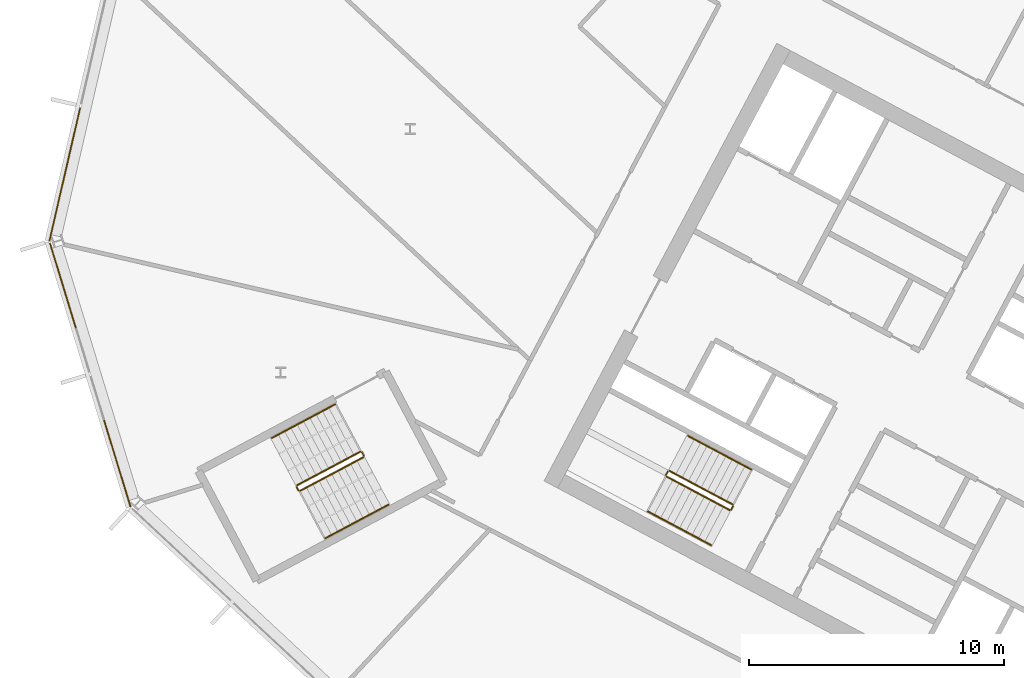
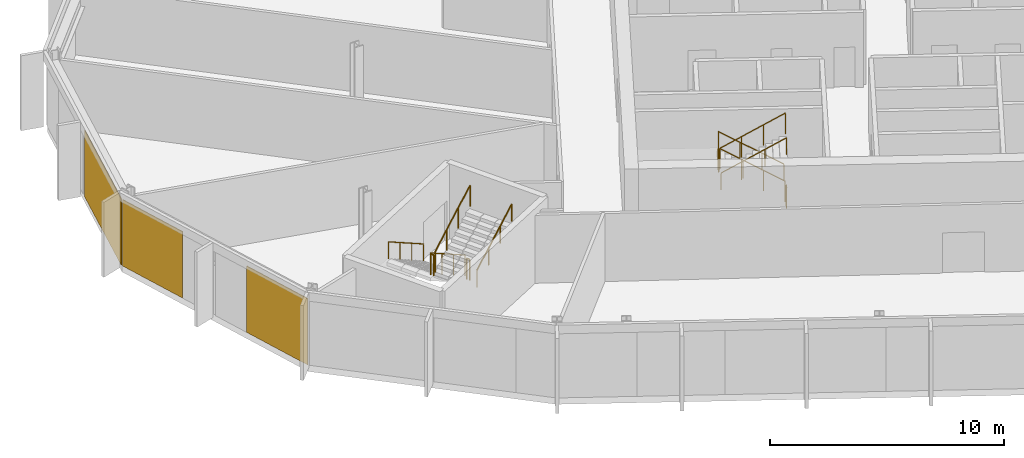
# One storey, part 21 of 27: 12 railings, 3 coverings, 2 elements without a shape of their own.
"""IFC4 building model written with IfcOpenShell, lengths in metres."""

from ifc_helpers import new_model, si_unit, direction, frame, origin, origin_2d, place, context, subcontext, project, spatial, polyline, rectangle, outline, extrude, material, layer, layer_set, type_object, element, aggregate, save


model = new_model("IFC4")

# Units and contexts
model_context = context("Model", 3, precision=1e-05, world=origin(), true_north=direction((0.0, 1.0)))
body_context = subcontext(model_context, "Body", "Model", "MODEL_VIEW")
ifc_project = project(units=[si_unit("LENGTHUNIT", "METRE"), si_unit("AREAUNIT", "SQUARE_METRE"), si_unit("VOLUMEUNIT", "CUBIC_METRE"), si_unit("PLANEANGLEUNIT", "RADIAN"), si_unit("MASSUNIT", "GRAM", prefix="KILO")], contexts=[model_context])

# Site, building, storey
site_placement = place(None, origin())
site = spatial("IfcSite", under=ifc_project, at=site_placement, CompositionType="ELEMENT")
building_placement = place(site_placement, origin())
building = spatial("IfcBuilding", under=site, at=building_placement, Name="Cormorant Relay Tower", CompositionType="ELEMENT")
storey_placement = place(building_placement, frame((0.0, 0.0, 216.89990234375)))
storey = spatial("IfcBuildingStorey", under=building, at=storey_placement, Name="L47", CompositionType="ELEMENT", Elevation=216.89990234375)

# Curtain wall, covering
ifc_material_1 = material(Name="Aluminium 6063-T6 anodised bronze", Category="aluminium")
ifc_layer_1 = layer(ifc_material_1, 0.199951171875)
ifc_layer_set_1 = layer_set([ifc_layer_1], Name="CW1 unitised bronze curtain wall with vertical fins")
curtain_wall_type = type_object("IfcCurtainWallType", Name="CW1 unitised bronze curtain wall with vertical fins", PredefinedType="NOTDEFINED", material=ifc_layer_set_1)
curtain_wall_1_placement = place(storey_placement, origin())
curtain_wall_1 = element("IfcCurtainWall", 1, at=curtain_wall_1_placement, inside=storey, type_object=curtain_wall_type, Name="CW1 curtain wall 13", PredefinedType="NOTDEFINED")
ifc_material_2 = material(Name="Pale bronze anodised aluminium insulated panel", Category="aluminium")
ifc_layer_2 = layer(ifc_material_2, 0.0400390625)
ifc_layer_set_2 = layer_set([ifc_layer_2], Name="CW1 pale bronze insulated panel 40")
covering_type = type_object("IfcCoveringType", Name="CW1 pale bronze insulated panel 40", PredefinedType="CLADDING", material=ifc_layer_set_2)
covering_1_placement = place(storey_placement, frame((-60.136474609375, 23.00927734375, 0.0), z_axis=(0.0, 0.0, 1.0), x_axis=(-0.224951054344, -0.974370064785, 0.0)))
covering_1 = element("IfcCovering", 2, at=covering_1_placement, type_object=covering_type, Name="CW1 panel S02", PredefinedType="CLADDING", context=body_context, shape_type="SweptSolid", body=[
    extrude(rectangle(XDim=5.360107421875, YDim=0.0400390625, at=origin_2d()), origin(), (0.0, 0.0, 1.0), 3.449951171875),
])
aggregate(curtain_wall_1, [covering_1])

# Curtain wall, coverings
curtain_wall_2_placement = place(storey_placement, origin())
curtain_wall_2 = element("IfcCurtainWall", 3, at=curtain_wall_2_placement, inside=storey, type_object=curtain_wall_type, Name="CW1 curtain wall 14", PredefinedType="NOTDEFINED")
covering_2_placement = place(storey_placement, frame((-60.20751953125, 18.6494140625, 0.0), z_axis=(0.0, 0.0, 1.0), x_axis=(0.292371704723, -0.956304755963, 0.0)))
covering_2 = element("IfcCovering", 4, at=covering_2_placement, type_object=covering_type, Name="CW1 panel S00", PredefinedType="CLADDING", context=body_context, shape_type="SweptSolid", body=[
    extrude(rectangle(XDim=3.485107421875, YDim=0.0400390625, at=origin_2d()), origin(), (0.0, 0.0, 1.0), 3.449951171875),
])
covering_3_placement = place(storey_placement, frame((-58.081298828125, 11.6943359375, 0.0), z_axis=(0.0, 0.0, 1.0), x_axis=(0.292371704723, -0.956304755963, 0.0)))
covering_3 = element("IfcCovering", 5, at=covering_3_placement, type_object=covering_type, Name="CW1 panel S03", PredefinedType="CLADDING", context=body_context, shape_type="SweptSolid", body=[
    extrude(rectangle(XDim=3.560302734375, YDim=0.0400390625, at=origin_2d()), origin(), (0.0, 0.0, 1.0), 3.449951171875),
])
aggregate(curtain_wall_2, [covering_2, covering_3])

# Railings
ifc_material_3 = material(Name="Steel ASTM A572 Grade 50 (Fy 345 MPa)", Category="steel")
railing_type_1 = type_object("IfcRailingType", Name="Stair guard 1100", PredefinedType="GUARDRAIL", material=ifc_material_3)
railing_1_placement = place(storey_placement, frame((-33.9921875, 10.08935546875, 0.177490234375)))
element("IfcRailing", 6, at=railing_1_placement, inside=storey, type_object=railing_type_1, Name="L47 A2 stair guard 1", PredefinedType="GUARDRAIL", context=body_context, shape_type="SweptSolid", body=[
    extrude(outline(polyline([(0.022216796875, 0.00927734375), (0.00927734375, 0.022216796875), (-0.00927734375, 0.022216796875), (-0.022216796875, 0.00927734375), (-0.022216796875, -0.00927734375), (-0.00927734375, -0.022216796875), (0.00927734375, -0.022216796875), (0.022216796875, -0.00927734375), (0.022216796875, 0.00927734375)])), frame((0.0, 0.0, 1.076171875), z_axis=(-0.746001213114, 0.396649272309, 0.534931345884), x_axis=(-0.469465464807, -0.882950835185, 0.0)), (0.0, 0.0, 1.0), 3.31396484375),
    extrude(outline(polyline([(0.019287109375, 0.008056640625), (0.008056640625, 0.019287109375), (-0.008056640625, 0.019287109375), (-0.019287109375, 0.008056640625), (-0.019287109375, -0.008056640625), (-0.008056640625, -0.019287109375), (0.008056640625, -0.019287109375), (0.019287109375, -0.008056640625), (0.019287109375, 0.008056640625)])), origin(), (0.0, 0.0, 1.0), 1.052001953125),
    extrude(outline(polyline([(0.019287109375, 0.008056640625), (0.008056640625, 0.019287109375), (-0.008056640625, 0.019287109375), (-0.019287109375, 0.008056640625), (-0.019287109375, -0.008056640625), (-0.008056640625, -0.019287109375), (0.008056640625, -0.019287109375), (0.019287109375, -0.008056640625), (0.019287109375, 0.008056640625)])), frame((-0.823974609375, 0.438232421875, 0.5908203125)), (0.0, 0.0, 1.0), 1.052001953125),
    extrude(outline(polyline([(0.019287109375, 0.008056640625), (0.008056640625, 0.019287109375), (-0.008056640625, 0.019287109375), (-0.019287109375, 0.008056640625), (-0.019287109375, -0.008056640625), (-0.008056640625, -0.019287109375), (0.008056640625, -0.019287109375), (0.019287109375, -0.008056640625), (0.019287109375, 0.008056640625)])), frame((-1.648193359375, 0.876220703125, 1.181884765625)), (0.0, 0.0, 1.0), 1.052001953125),
    extrude(outline(polyline([(0.019287109375, 0.008056640625), (0.008056640625, 0.019287109375), (-0.008056640625, 0.019287109375), (-0.019287109375, 0.008056640625), (-0.019287109375, -0.008056640625), (-0.008056640625, -0.019287109375), (0.008056640625, -0.019287109375), (0.019287109375, -0.008056640625), (0.019287109375, 0.008056640625)])), frame((-2.47216796875, 1.314453125, 1.772705078125)), (0.0, 0.0, 1.0), 1.052001953125),
])
railing_2_placement = place(storey_placement, frame((-36.531982421875, 11.38330078125, 1.9501953125)))
element("IfcRailing", 7, at=railing_2_placement, inside=storey, type_object=railing_type_1, Name="L47 A2 stair guard 2", PredefinedType="GUARDRAIL", context=body_context, shape_type="SweptSolid", body=[
    extrude(outline(polyline([(0.022216796875, 0.00927734375), (0.00927734375, 0.022216796875), (-0.00927734375, 0.022216796875), (-0.022216796875, 0.00927734375), (-0.022216796875, -0.00927734375), (-0.00927734375, -0.022216796875), (0.00927734375, -0.022216796875), (0.022216796875, -0.00927734375), (0.022216796875, 0.00927734375)])), frame((0.0, 0.0, 1.076171875), z_axis=(-0.469828648786, -0.882757634224, 0.0), x_axis=(0.882757634224, -0.469828648786, 0.0)), (0.0, 0.0, 1.0), 0.150146484375),
    extrude(outline(polyline([(0.019287109375, 0.008056640625), (0.008056640625, 0.019287109375), (-0.008056640625, 0.019287109375), (-0.019287109375, 0.008056640625), (-0.019287109375, -0.008056640625), (-0.008056640625, -0.019287109375), (0.008056640625, -0.019287109375), (0.019287109375, -0.008056640625), (0.019287109375, 0.008056640625)])), origin(), (0.0, 0.0, 1.0), 1.052001953125),
    extrude(outline(polyline([(0.019287109375, 0.008056640625), (0.008056640625, 0.019287109375), (-0.008056640625, 0.019287109375), (-0.019287109375, 0.008056640625), (-0.019287109375, -0.008056640625), (-0.008056640625, -0.019287109375), (0.008056640625, -0.019287109375), (0.019287109375, -0.008056640625), (0.019287109375, 0.008056640625)])), frame((-0.070556640625, -0.132568359375, 0.0)), (0.0, 0.0, 1.0), 1.052001953125),
])
railing_3_placement = place(storey_placement, frame((-36.581787109375, 11.18310546875, 2.12744140625)))
element("IfcRailing", 8, at=railing_3_placement, inside=storey, type_object=railing_type_1, Name="L47 A2 stair guard 3", PredefinedType="GUARDRAIL", context=body_context, shape_type="SweptSolid", body=[
    extrude(outline(polyline([(0.022216796875, 0.00927734375), (0.00927734375, 0.022216796875), (-0.00927734375, 0.022216796875), (-0.022216796875, 0.00927734375), (-0.022216796875, -0.00927734375), (-0.00927734375, -0.022216796875), (0.00927734375, -0.022216796875), (0.022216796875, -0.00927734375), (0.022216796875, 0.00927734375)])), frame((0.0, 0.0, 1.076171875), z_axis=(0.746001213114, -0.396649272309, 0.534931345884), x_axis=(0.469465464807, 0.882950835185, 0.0)), (0.0, 0.0, 1.0), 3.31396484375),
    extrude(outline(polyline([(0.019287109375, 0.008056640625), (0.008056640625, 0.019287109375), (-0.008056640625, 0.019287109375), (-0.019287109375, 0.008056640625), (-0.019287109375, -0.008056640625), (-0.008056640625, -0.019287109375), (0.008056640625, -0.019287109375), (0.019287109375, -0.008056640625), (0.019287109375, 0.008056640625)])), origin(), (0.0, 0.0, 1.0), 1.052001953125),
    extrude(outline(polyline([(0.019287109375, 0.008056640625), (0.008056640625, 0.019287109375), (-0.008056640625, 0.019287109375), (-0.019287109375, 0.008056640625), (-0.019287109375, -0.008056640625), (-0.008056640625, -0.019287109375), (0.008056640625, -0.019287109375), (0.019287109375, -0.008056640625), (0.019287109375, 0.008056640625)])), frame((0.823974609375, -0.438232421875, 0.5908203125)), (0.0, 0.0, 1.0), 1.052001953125),
    extrude(outline(polyline([(0.019287109375, 0.008056640625), (0.008056640625, 0.019287109375), (-0.008056640625, 0.019287109375), (-0.019287109375, 0.008056640625), (-0.019287109375, -0.008056640625), (-0.008056640625, -0.019287109375), (0.008056640625, -0.019287109375), (0.019287109375, -0.008056640625), (0.019287109375, 0.008056640625)])), frame((1.648193359375, -0.876220703125, 1.181884765625)), (0.0, 0.0, 1.0), 1.052001953125),
    extrude(outline(polyline([(0.019287109375, 0.008056640625), (0.008056640625, 0.019287109375), (-0.008056640625, 0.019287109375), (-0.019287109375, 0.008056640625), (-0.019287109375, -0.008056640625), (-0.008056640625, -0.019287109375), (0.008056640625, -0.019287109375), (0.019287109375, -0.008056640625), (0.019287109375, 0.008056640625)])), frame((2.47216796875, -1.314453125, 1.772705078125)), (0.0, 0.0, 1.0), 1.052001953125),
])
railing_4_placement = place(storey_placement, frame((-33.971435546875, 10.021728515625, 0.0)))
element("IfcRailing", 9, at=railing_4_placement, inside=storey, type_object=railing_type_1, Name="L47 A2 stair guard 4", PredefinedType="GUARDRAIL", context=body_context, shape_type="SweptSolid", body=[
    extrude(outline(polyline([(0.022216796875, 0.00927734375), (0.00927734375, 0.022216796875), (-0.00927734375, 0.022216796875), (-0.022216796875, 0.00927734375), (-0.022216796875, -0.00927734375), (-0.00927734375, -0.022216796875), (0.00927734375, -0.022216796875), (0.022216796875, -0.00927734375), (0.022216796875, 0.00927734375)])), frame((0.0, 0.0, 1.076171875), z_axis=(-0.470503732759, -0.882398003998, 0.0), x_axis=(0.882398003998, -0.470503732759, 0.0)), (0.0, 0.0, 1.0), 0.14990234375),
    extrude(outline(polyline([(0.019287109375, 0.008056640625), (0.008056640625, 0.019287109375), (-0.008056640625, 0.019287109375), (-0.019287109375, 0.008056640625), (-0.019287109375, -0.008056640625), (-0.008056640625, -0.019287109375), (0.008056640625, -0.019287109375), (0.019287109375, -0.008056640625), (0.019287109375, 0.008056640625)])), origin(), (0.0, 0.0, 1.0), 1.052001953125),
    extrude(outline(polyline([(0.019287109375, 0.008056640625), (0.008056640625, 0.019287109375), (-0.008056640625, 0.019287109375), (-0.019287109375, 0.008056640625), (-0.019287109375, -0.008056640625), (-0.008056640625, -0.019287109375), (0.008056640625, -0.019287109375), (0.019287109375, -0.008056640625), (0.019287109375, 0.008056640625)])), frame((-0.070556640625, -0.13232421875, 0.0)), (0.0, 0.0, 1.0), 1.052001953125),
])
railing_5_placement = place(storey_placement, frame((-48.5693359375, 12.155517578125, 0.177490234375)))
element("IfcRailing", 10, at=railing_5_placement, inside=storey, type_object=railing_type_1, Name="L47 RP1 stair guard 1", PredefinedType="GUARDRAIL", context=body_context, shape_type="SweptSolid", body=[
    extrude(outline(polyline([(0.022216796875, 0.00927734375), (0.00927734375, 0.022216796875), (-0.00927734375, 0.022216796875), (-0.022216796875, 0.00927734375), (-0.022216796875, -0.00927734375), (-0.00927734375, -0.022216796875), (0.00927734375, -0.022216796875), (0.022216796875, -0.00927734375), (0.022216796875, 0.00927734375)])), frame((0.0, 0.0, 1.076171875), z_axis=(-0.746012083385, -0.396689549623, 0.534886317514), x_axis=(0.469497295046, -0.882933910293, 0.0)), (0.0, 0.0, 1.0), 3.314208984375),
    extrude(outline(polyline([(0.019287109375, 0.008056640625), (0.008056640625, 0.019287109375), (-0.008056640625, 0.019287109375), (-0.019287109375, 0.008056640625), (-0.019287109375, -0.008056640625), (-0.008056640625, -0.019287109375), (0.008056640625, -0.019287109375), (0.019287109375, -0.008056640625), (0.019287109375, 0.008056640625)])), origin(), (0.0, 0.0, 1.0), 1.052001953125),
    extrude(outline(polyline([(0.019287109375, 0.008056640625), (0.008056640625, 0.019287109375), (-0.008056640625, 0.019287109375), (-0.019287109375, 0.008056640625), (-0.019287109375, -0.008056640625), (-0.008056640625, -0.019287109375), (0.008056640625, -0.019287109375), (0.019287109375, -0.008056640625), (0.019287109375, 0.008056640625)])), frame((-0.82421875, -0.438232421875, 0.5908203125)), (0.0, 0.0, 1.0), 1.052001953125),
    extrude(outline(polyline([(0.019287109375, 0.008056640625), (0.008056640625, 0.019287109375), (-0.008056640625, 0.019287109375), (-0.019287109375, 0.008056640625), (-0.019287109375, -0.008056640625), (-0.008056640625, -0.019287109375), (0.008056640625, -0.019287109375), (0.019287109375, -0.008056640625), (0.019287109375, 0.008056640625)])), frame((-1.648193359375, -0.87646484375, 1.181884765625)), (0.0, 0.0, 1.0), 1.052001953125),
    extrude(outline(polyline([(0.019287109375, 0.008056640625), (0.008056640625, 0.019287109375), (-0.008056640625, 0.019287109375), (-0.019287109375, 0.008056640625), (-0.019287109375, -0.008056640625), (-0.008056640625, -0.019287109375), (0.008056640625, -0.019287109375), (0.019287109375, -0.008056640625), (0.019287109375, 0.008056640625)])), frame((-2.472412109375, -1.314697265625, 1.772705078125)), (0.0, 0.0, 1.0), 1.052001953125),
])
railing_6_placement = place(storey_placement, frame((-51.062255859375, 10.773193359375, 1.9501953125)))
element("IfcRailing", 11, at=railing_6_placement, inside=storey, type_object=railing_type_1, Name="L47 RP1 stair guard 2", PredefinedType="GUARDRAIL", context=body_context, shape_type="SweptSolid", body=[
    extrude(outline(polyline([(0.022216796875, 0.00927734375), (0.00927734375, 0.022216796875), (-0.00927734375, 0.022216796875), (-0.022216796875, 0.00927734375), (-0.022216796875, -0.00927734375), (-0.00927734375, -0.022216796875), (0.00927734375, -0.022216796875), (0.022216796875, -0.00927734375), (0.022216796875, 0.00927734375)])), frame((0.0, 0.0, 1.076171875), z_axis=(0.469234640946, -0.883073525669, 0.0), x_axis=(0.883073525669, 0.469234640946, 0.0)), (0.0, 0.0, 1.0), 0.14990234375),
    extrude(outline(polyline([(0.019287109375, 0.008056640625), (0.008056640625, 0.019287109375), (-0.008056640625, 0.019287109375), (-0.019287109375, 0.008056640625), (-0.019287109375, -0.008056640625), (-0.008056640625, -0.019287109375), (0.008056640625, -0.019287109375), (0.019287109375, -0.008056640625), (0.019287109375, 0.008056640625)])), origin(), (0.0, 0.0, 1.0), 1.052001953125),
    extrude(outline(polyline([(0.019287109375, 0.008056640625), (0.008056640625, 0.019287109375), (-0.008056640625, 0.019287109375), (-0.019287109375, 0.008056640625), (-0.019287109375, -0.008056640625), (-0.008056640625, -0.019287109375), (0.008056640625, -0.019287109375), (0.019287109375, -0.008056640625), (0.019287109375, 0.008056640625)])), frame((0.0703125, -0.13232421875, 0.0)), (0.0, 0.0, 1.0), 1.052001953125),
])
railing_7_placement = place(storey_placement, frame((-50.92431640625, 10.6201171875, 2.12744140625)))
element("IfcRailing", 12, at=railing_7_placement, inside=storey, type_object=railing_type_1, Name="L47 RP1 stair guard 3", PredefinedType="GUARDRAIL", context=body_context, shape_type="SweptSolid", body=[
    extrude(outline(polyline([(0.022216796875, 0.00927734375), (0.00927734375, 0.022216796875), (-0.00927734375, 0.022216796875), (-0.022216796875, 0.00927734375), (-0.022216796875, -0.00927734375), (-0.00927734375, -0.022216796875), (0.00927734375, -0.022216796875), (0.022216796875, -0.00927734375), (0.022216796875, 0.00927734375)])), frame((0.0, 0.0, 1.076171875), z_axis=(0.746033882577, 0.396627473466, 0.534901947407), x_axis=(-0.469429322983, 0.882970050864, 0.0)), (0.0, 0.0, 1.0), 3.31396484375),
    extrude(outline(polyline([(0.019287109375, 0.008056640625), (0.008056640625, 0.019287109375), (-0.008056640625, 0.019287109375), (-0.019287109375, 0.008056640625), (-0.019287109375, -0.008056640625), (-0.008056640625, -0.019287109375), (0.008056640625, -0.019287109375), (0.019287109375, -0.008056640625), (0.019287109375, 0.008056640625)])), origin(), (0.0, 0.0, 1.0), 1.052001953125),
    extrude(outline(polyline([(0.019287109375, 0.008056640625), (0.008056640625, 0.019287109375), (-0.008056640625, 0.019287109375), (-0.019287109375, 0.008056640625), (-0.019287109375, -0.008056640625), (-0.008056640625, -0.019287109375), (0.008056640625, -0.019287109375), (0.019287109375, -0.008056640625), (0.019287109375, 0.008056640625)])), frame((0.82421875, 0.438232421875, 0.5908203125)), (0.0, 0.0, 1.0), 1.052001953125),
    extrude(outline(polyline([(0.019287109375, 0.008056640625), (0.008056640625, 0.019287109375), (-0.008056640625, 0.019287109375), (-0.019287109375, 0.008056640625), (-0.019287109375, -0.008056640625), (-0.008056640625, -0.019287109375), (0.008056640625, -0.019287109375), (0.019287109375, -0.008056640625), (0.019287109375, 0.008056640625)])), frame((1.648193359375, 0.876220703125, 1.181884765625)), (0.0, 0.0, 1.0), 1.052001953125),
    extrude(outline(polyline([(0.019287109375, 0.008056640625), (0.008056640625, 0.019287109375), (-0.008056640625, 0.019287109375), (-0.019287109375, 0.008056640625), (-0.019287109375, -0.008056640625), (-0.008056640625, -0.019287109375), (0.008056640625, -0.019287109375), (0.019287109375, -0.008056640625), (0.019287109375, 0.008056640625)])), frame((2.472412109375, 1.314453125, 1.772705078125)), (0.0, 0.0, 1.0), 1.052001953125),
])
railing_8_placement = place(storey_placement, frame((-48.501708984375, 12.134765625, 0.0)))
element("IfcRailing", 13, at=railing_8_placement, inside=storey, type_object=railing_type_1, Name="L47 RP1 stair guard 4", PredefinedType="GUARDRAIL", context=body_context, shape_type="SweptSolid", body=[
    extrude(outline(polyline([(0.022216796875, 0.00927734375), (0.00927734375, 0.022216796875), (-0.00927734375, 0.022216796875), (-0.022216796875, 0.00927734375), (-0.022216796875, -0.00927734375), (-0.00927734375, -0.022216796875), (0.00927734375, -0.022216796875), (0.022216796875, -0.00927734375), (0.022216796875, 0.00927734375)])), frame((0.0, 0.0, 1.076171875), z_axis=(0.46856034887, -0.8834314911, 0.0), x_axis=(0.8834314911, 0.46856034887, 0.0)), (0.0, 0.0, 1.0), 0.150146484375),
    extrude(outline(polyline([(0.019287109375, 0.008056640625), (0.008056640625, 0.019287109375), (-0.008056640625, 0.019287109375), (-0.019287109375, 0.008056640625), (-0.019287109375, -0.008056640625), (-0.008056640625, -0.019287109375), (0.008056640625, -0.019287109375), (0.019287109375, -0.008056640625), (0.019287109375, 0.008056640625)])), origin(), (0.0, 0.0, 1.0), 1.052001953125),
    extrude(outline(polyline([(0.019287109375, 0.008056640625), (0.008056640625, 0.019287109375), (-0.008056640625, 0.019287109375), (-0.019287109375, 0.008056640625), (-0.019287109375, -0.008056640625), (-0.008056640625, -0.019287109375), (0.008056640625, -0.019287109375), (0.019287109375, -0.008056640625), (0.019287109375, 0.008056640625)])), frame((0.0703125, -0.132568359375, 0.0)), (0.0, 0.0, 1.0), 1.052001953125),
])
ifc_material_4 = material(Name="Steel ASTM A572 Grade 50 (Fy 345 MPa)", Category="steel")
railing_type_2 = type_object("IfcRailingType", Name="Stair handrail 900", PredefinedType="HANDRAIL", material=ifc_material_4)
railing_9_placement = place(storey_placement, frame((-33.264404296875, 11.4580078125, 0.177490234375)))
element("IfcRailing", 14, at=railing_9_placement, inside=storey, type_object=railing_type_2, Name="L47 A2 stair handrail 1", PredefinedType="HANDRAIL", context=body_context, shape_type="SweptSolid", body=[
    extrude(outline(polyline([(0.022216796875, 0.00927734375), (0.00927734375, 0.022216796875), (-0.00927734375, 0.022216796875), (-0.022216796875, 0.00927734375), (-0.022216796875, -0.00927734375), (-0.00927734375, -0.022216796875), (0.00927734375, -0.022216796875), (0.022216796875, -0.00927734375), (0.022216796875, 0.00927734375)])), frame((0.0, 0.0, 0.8759765625), z_axis=(-0.746033882577, 0.396627473466, 0.534901947407), x_axis=(-0.469429322983, -0.882970050864, 0.0)), (0.0, 0.0, 1.0), 3.31396484375),
    extrude(outline(polyline([(0.019287109375, 0.008056640625), (0.008056640625, 0.019287109375), (-0.008056640625, 0.019287109375), (-0.019287109375, 0.008056640625), (-0.019287109375, -0.008056640625), (-0.008056640625, -0.019287109375), (0.008056640625, -0.019287109375), (0.019287109375, -0.008056640625), (0.019287109375, 0.008056640625)])), origin(), (0.0, 0.0, 1.0), 0.851806640625),
    extrude(outline(polyline([(0.019287109375, 0.008056640625), (0.008056640625, 0.019287109375), (-0.008056640625, 0.019287109375), (-0.019287109375, 0.008056640625), (-0.019287109375, -0.008056640625), (-0.008056640625, -0.019287109375), (0.008056640625, -0.019287109375), (0.019287109375, -0.008056640625), (0.019287109375, 0.008056640625)])), frame((-0.82421875, 0.438232421875, 0.5908203125)), (0.0, 0.0, 1.0), 0.851806640625),
    extrude(outline(polyline([(0.019287109375, 0.008056640625), (0.008056640625, 0.019287109375), (-0.008056640625, 0.019287109375), (-0.019287109375, 0.008056640625), (-0.019287109375, -0.008056640625), (-0.008056640625, -0.019287109375), (0.008056640625, -0.019287109375), (0.019287109375, -0.008056640625), (0.019287109375, 0.008056640625)])), frame((-1.648193359375, 0.876220703125, 1.181884765625)), (0.0, 0.0, 1.0), 0.851806640625),
    extrude(outline(polyline([(0.019287109375, 0.008056640625), (0.008056640625, 0.019287109375), (-0.008056640625, 0.019287109375), (-0.019287109375, 0.008056640625), (-0.019287109375, -0.008056640625), (-0.008056640625, -0.019287109375), (0.008056640625, -0.019287109375), (0.019287109375, -0.008056640625), (0.019287109375, 0.008056640625)])), frame((-2.472412109375, 1.314453125, 1.772705078125)), (0.0, 0.0, 1.0), 0.851806640625),
])
railing_10_placement = place(storey_placement, frame((-37.3095703125, 9.814453125, 2.12744140625)))
element("IfcRailing", 15, at=railing_10_placement, inside=storey, type_object=railing_type_2, Name="L47 A2 stair handrail 2", PredefinedType="HANDRAIL", context=body_context, shape_type="SweptSolid", body=[
    extrude(outline(polyline([(0.022216796875, 0.00927734375), (0.00927734375, 0.022216796875), (-0.00927734375, 0.022216796875), (-0.022216796875, 0.00927734375), (-0.022216796875, -0.00927734375), (-0.00927734375, -0.022216796875), (0.00927734375, -0.022216796875), (0.022216796875, -0.00927734375), (0.022216796875, 0.00927734375)])), frame((0.0, 0.0, 0.8759765625), z_axis=(0.746033882577, -0.396627473466, 0.534901947407), x_axis=(0.469429322983, 0.882970050864, 0.0)), (0.0, 0.0, 1.0), 3.31396484375),
    extrude(outline(polyline([(0.019287109375, 0.008056640625), (0.008056640625, 0.019287109375), (-0.008056640625, 0.019287109375), (-0.019287109375, 0.008056640625), (-0.019287109375, -0.008056640625), (-0.008056640625, -0.019287109375), (0.008056640625, -0.019287109375), (0.019287109375, -0.008056640625), (0.019287109375, 0.008056640625)])), origin(), (0.0, 0.0, 1.0), 0.851806640625),
    extrude(outline(polyline([(0.019287109375, 0.008056640625), (0.008056640625, 0.019287109375), (-0.008056640625, 0.019287109375), (-0.019287109375, 0.008056640625), (-0.019287109375, -0.008056640625), (-0.008056640625, -0.019287109375), (0.008056640625, -0.019287109375), (0.019287109375, -0.008056640625), (0.019287109375, 0.008056640625)])), frame((0.82421875, -0.438232421875, 0.5908203125)), (0.0, 0.0, 1.0), 0.851806640625),
    extrude(outline(polyline([(0.019287109375, 0.008056640625), (0.008056640625, 0.019287109375), (-0.008056640625, 0.019287109375), (-0.019287109375, 0.008056640625), (-0.019287109375, -0.008056640625), (-0.008056640625, -0.019287109375), (0.008056640625, -0.019287109375), (0.019287109375, -0.008056640625), (0.019287109375, 0.008056640625)])), frame((1.648193359375, -0.876220703125, 1.181884765625)), (0.0, 0.0, 1.0), 0.851806640625),
    extrude(outline(polyline([(0.019287109375, 0.008056640625), (0.008056640625, 0.019287109375), (-0.008056640625, 0.019287109375), (-0.019287109375, 0.008056640625), (-0.019287109375, -0.008056640625), (-0.008056640625, -0.019287109375), (0.008056640625, -0.019287109375), (0.019287109375, -0.008056640625), (0.019287109375, 0.008056640625)])), frame((2.472412109375, -1.314453125, 1.772705078125)), (0.0, 0.0, 1.0), 0.851806640625),
])
railing_11_placement = place(storey_placement, frame((-49.55517578125, 14.009521484375, 0.177490234375)))
element("IfcRailing", 16, at=railing_11_placement, inside=storey, type_object=railing_type_2, Name="L47 RP1 stair handrail 1", PredefinedType="HANDRAIL", context=body_context, shape_type="SweptSolid", body=[
    extrude(outline(polyline([(0.022216796875, 0.00927734375), (0.00927734375, 0.022216796875), (-0.00927734375, 0.022216796875), (-0.022216796875, 0.00927734375), (-0.022216796875, -0.00927734375), (-0.00927734375, -0.022216796875), (0.00927734375, -0.022216796875), (0.022216796875, -0.00927734375), (0.022216796875, 0.00927734375)])), frame((0.0, 0.0, 0.8759765625), z_axis=(-0.746033882577, -0.396627473466, 0.534901947407), x_axis=(0.469429322983, -0.882970050864, 0.0)), (0.0, 0.0, 1.0), 3.31396484375),
    extrude(outline(polyline([(0.019287109375, 0.008056640625), (0.008056640625, 0.019287109375), (-0.008056640625, 0.019287109375), (-0.019287109375, 0.008056640625), (-0.019287109375, -0.008056640625), (-0.008056640625, -0.019287109375), (0.008056640625, -0.019287109375), (0.019287109375, -0.008056640625), (0.019287109375, 0.008056640625)])), origin(), (0.0, 0.0, 1.0), 0.851806640625),
    extrude(outline(polyline([(0.019287109375, 0.008056640625), (0.008056640625, 0.019287109375), (-0.008056640625, 0.019287109375), (-0.019287109375, 0.008056640625), (-0.019287109375, -0.008056640625), (-0.008056640625, -0.019287109375), (0.008056640625, -0.019287109375), (0.019287109375, -0.008056640625), (0.019287109375, 0.008056640625)])), frame((-0.82421875, -0.438232421875, 0.5908203125)), (0.0, 0.0, 1.0), 0.851806640625),
    extrude(outline(polyline([(0.019287109375, 0.008056640625), (0.008056640625, 0.019287109375), (-0.008056640625, 0.019287109375), (-0.019287109375, 0.008056640625), (-0.019287109375, -0.008056640625), (-0.008056640625, -0.019287109375), (0.008056640625, -0.019287109375), (0.019287109375, -0.008056640625), (0.019287109375, 0.008056640625)])), frame((-1.648193359375, -0.876220703125, 1.181884765625)), (0.0, 0.0, 1.0), 0.851806640625),
    extrude(outline(polyline([(0.019287109375, 0.008056640625), (0.008056640625, 0.019287109375), (-0.008056640625, 0.019287109375), (-0.019287109375, 0.008056640625), (-0.019287109375, -0.008056640625), (-0.008056640625, -0.019287109375), (0.008056640625, -0.019287109375), (0.019287109375, -0.008056640625), (0.019287109375, 0.008056640625)])), frame((-2.472412109375, -1.314453125, 1.772705078125)), (0.0, 0.0, 1.0), 0.851806640625),
])
railing_12_placement = place(storey_placement, frame((-49.9384765625, 8.765869140625, 2.12744140625)))
element("IfcRailing", 17, at=railing_12_placement, inside=storey, type_object=railing_type_2, Name="L47 RP1 stair handrail 2", PredefinedType="HANDRAIL", context=body_context, shape_type="SweptSolid", body=[
    extrude(outline(polyline([(0.022216796875, 0.00927734375), (0.00927734375, 0.022216796875), (-0.00927734375, 0.022216796875), (-0.022216796875, 0.00927734375), (-0.022216796875, -0.00927734375), (-0.00927734375, -0.022216796875), (0.00927734375, -0.022216796875), (0.022216796875, -0.00927734375), (0.022216796875, 0.00927734375)])), frame((0.0, 0.0, 0.8759765625), z_axis=(0.746012083385, 0.396689549623, 0.534886317514), x_axis=(-0.469497295046, 0.882933910293, 0.0)), (0.0, 0.0, 1.0), 3.314208984375),
    extrude(outline(polyline([(0.019287109375, 0.008056640625), (0.008056640625, 0.019287109375), (-0.008056640625, 0.019287109375), (-0.019287109375, 0.008056640625), (-0.019287109375, -0.008056640625), (-0.008056640625, -0.019287109375), (0.008056640625, -0.019287109375), (0.019287109375, -0.008056640625), (0.019287109375, 0.008056640625)])), origin(), (0.0, 0.0, 1.0), 0.851806640625),
    extrude(outline(polyline([(0.019287109375, 0.008056640625), (0.008056640625, 0.019287109375), (-0.008056640625, 0.019287109375), (-0.019287109375, 0.008056640625), (-0.019287109375, -0.008056640625), (-0.008056640625, -0.019287109375), (0.008056640625, -0.019287109375), (0.019287109375, -0.008056640625), (0.019287109375, 0.008056640625)])), frame((0.82421875, 0.438232421875, 0.5908203125)), (0.0, 0.0, 1.0), 0.851806640625),
    extrude(outline(polyline([(0.019287109375, 0.008056640625), (0.008056640625, 0.019287109375), (-0.008056640625, 0.019287109375), (-0.019287109375, 0.008056640625), (-0.019287109375, -0.008056640625), (-0.008056640625, -0.019287109375), (0.008056640625, -0.019287109375), (0.019287109375, -0.008056640625), (0.019287109375, 0.008056640625)])), frame((1.648193359375, 0.87646484375, 1.181884765625)), (0.0, 0.0, 1.0), 0.851806640625),
    extrude(outline(polyline([(0.019287109375, 0.008056640625), (0.008056640625, 0.019287109375), (-0.008056640625, 0.019287109375), (-0.019287109375, 0.008056640625), (-0.019287109375, -0.008056640625), (-0.008056640625, -0.019287109375), (0.008056640625, -0.019287109375), (0.019287109375, -0.008056640625), (0.019287109375, 0.008056640625)])), frame((2.472412109375, 1.314697265625, 1.772705078125)), (0.0, 0.0, 1.0), 0.851806640625),
])

save(model, "model.ifc")
